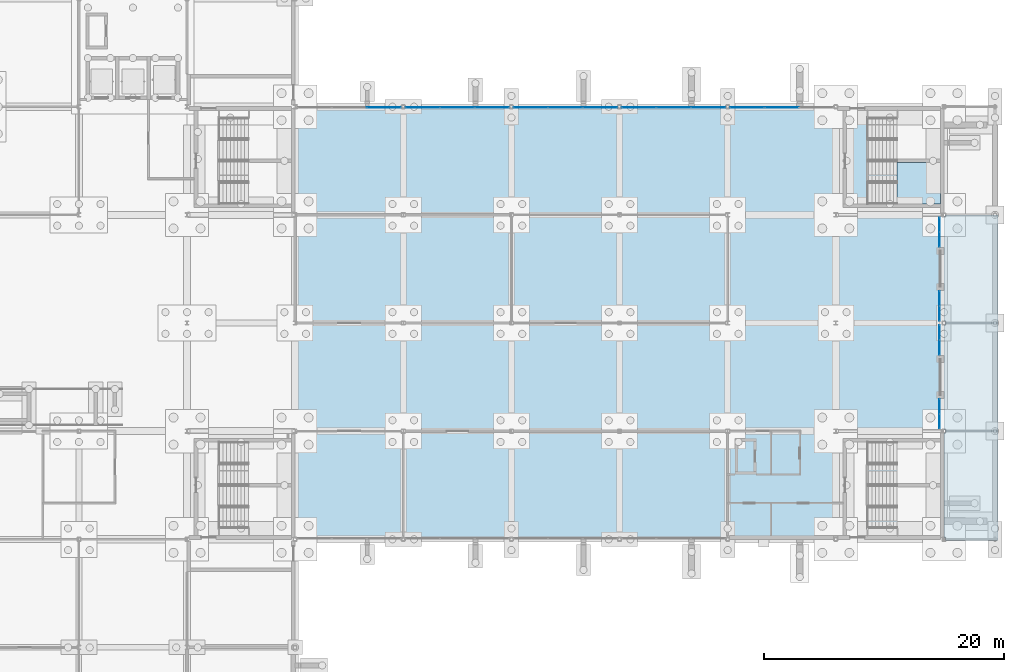
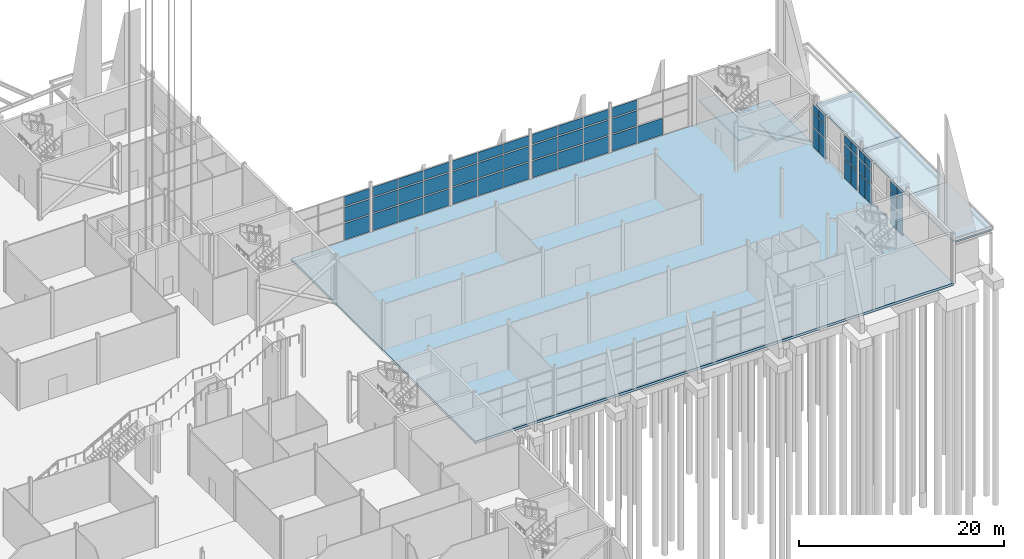
# One storey, part 95 of 139: 58 plates, 6 slabs, 10 elements without a shape of their own.
"""IFC4 building model written with IfcOpenShell, lengths in metres."""

import ifcopenshell
import ifcopenshell.guid

model = None  # the IFC model being written
_history = None  # IfcOwnerHistory: only IFC2X3 demands one
_inside = {}  # id of a spatial element -> (the spatial element, [elements in it])
_under = {}  # id of a project, library or spatial element -> (it, [spatial elements below it])
_declared = {}  # id of a project -> (the project, [libraries it declares])
_typed = {}  # id of a type object -> (the type object, [elements of that type])
_made_of = {}  # id of a material, layer set ... -> (it, [elements and type objects made of it])


def new_model(schema):
    """Start an empty IFC model of exactly this schema.

    Asked for "IFC4X3", IfcOpenShell would pick the latest addendum, in which some entities
    have other attributes; the version numbers below select the first issue.
    IFC2X3 requires an IfcOwnerHistory on every rooted entity: one is made here for all.
    """
    global model, _history
    if schema == "IFC4X3":
        model = ifcopenshell.file(schema_version=(4, 3, 0, 0))
    else:
        model = ifcopenshell.file(schema=schema)
    _inside.clear()
    _under.clear()
    _declared.clear()
    _typed.clear()
    _made_of.clear()
    _history = None
    if model.schema == "IFC2X3":
        org = make("IfcOrganization", Name="unknown")
        user = make(
            "IfcPersonAndOrganization",
            ThePerson=make("IfcPerson", FamilyName="unknown"),
            TheOrganization=org,
        )
        app = make(
            "IfcApplication",
            ApplicationDeveloper=org,
            Version="unknown",
            ApplicationFullName="unknown",
            ApplicationIdentifier="unknown",
        )
        _history = make(
            "IfcOwnerHistory",
            OwningUser=user,
            OwningApplication=app,
            ChangeAction="ADDED",
            CreationDate=0,
        )
    return model


def make(cls, **values):
    """One entity of the class cls with the attributes given. An attribute that is None is left unset."""
    return model.create_entity(
        cls, **{name: value for name, value in values.items() if value is not None}
    )


def rooted(cls, **values):
    """An entity with a GlobalId (a new one), such as an element, a storey or a relation."""
    return make(cls, GlobalId=ifcopenshell.guid.new(), OwnerHistory=_history, **values)


def si_unit(unit_type, name, prefix=None):
    """IfcSIUnit, for example si_unit("LENGTHUNIT", "METRE", prefix="MILLI")."""
    return make("IfcSIUnit", UnitType=unit_type, Prefix=prefix, Name=name)


def assignment(units):
    """IfcUnitAssignment: the units of a project."""
    return None if units is None else make("IfcUnitAssignment", Units=units)


def point(xyz):
    """IfcCartesianPoint."""
    return None if xyz is None else make("IfcCartesianPoint", Coordinates=xyz)


def direction(xyz):
    """IfcDirection."""
    return None if xyz is None else make("IfcDirection", DirectionRatios=xyz)


def frame(location, z_axis=None, x_axis=None):
    """IfcAxis2Placement3D, a coordinate frame: its origin and axes. An axis left out is left unset."""
    return make(
        "IfcAxis2Placement3D",
        Location=point(location),
        Axis=direction(z_axis),
        RefDirection=direction(x_axis),
    )


def frame_2d(location, x_axis=None):
    """IfcAxis2Placement2D, a coordinate frame in the plane: its origin and x axis."""
    return make(
        "IfcAxis2Placement2D", Location=point(location), RefDirection=direction(x_axis)
    )


def origin():
    """The frame at (0, 0, 0) with its axes left unset."""
    return frame((0.0, 0.0, 0.0))


def origin_2d():
    """The frame at (0, 0) in the plane with its x axis left unset."""
    return frame_2d((0.0, 0.0))


def place(relative_to, where):
    """IfcLocalPlacement: puts the frame where relative to a parent placement (None: the world)."""
    return make(
        "IfcLocalPlacement", PlacementRelTo=relative_to, RelativePlacement=where
    )


def context(
    kind, dimensions, precision=None, world=None, true_north=None, identifier=None
):
    """IfcGeometricRepresentationContext, for example the 3D "Model" context."""
    return make(
        "IfcGeometricRepresentationContext",
        ContextIdentifier=identifier,
        ContextType=kind,
        CoordinateSpaceDimension=dimensions,
        Precision=precision,
        WorldCoordinateSystem=world,
        TrueNorth=true_north,
    )


def subcontext(parent, identifier, kind, view, scale=None):
    """IfcGeometricRepresentationSubContext, for example "Body" below "Model"."""
    return make(
        "IfcGeometricRepresentationSubContext",
        ContextIdentifier=identifier,
        ContextType=kind,
        ParentContext=parent,
        TargetScale=scale,
        TargetView=view,
    )


def project(units=None, contexts=None):
    """IfcProject with its units and contexts."""
    return rooted(
        "IfcProject",
        Name="project",
        RepresentationContexts=contexts,
        UnitsInContext=assignment(units),
    )


def spatial(cls, under=None, at=None, **own):
    """A site, building, storey or space (cls), placed at a placement, below another one or the project."""
    s = rooted(cls, ObjectPlacement=at, **own)
    if under is not None:
        _under.setdefault(under.id(), (under, []))[1].append(s)
    return s


def polyline(points):
    """IfcPolyline through the points."""
    return make("IfcPolyline", Points=[point(p) for p in points])


def profile(cls, at=None, kind="AREA", **sizes):
    """A parametric profile (cls). Its sizes go by their IFC names, for example OverallWidth=200.0."""
    return make(cls, ProfileType=kind, Position=at, **sizes)


def rectangle(**sizes):
    """IfcRectangleProfileDef."""
    return profile("IfcRectangleProfileDef", **sizes)


def outline(outer, holes=None, kind="AREA"):
    """IfcArbitraryClosedProfileDef: a profile drawn as a closed curve; with holes, ...WithVoids."""
    if holes is None:
        return make("IfcArbitraryClosedProfileDef", ProfileType=kind, OuterCurve=outer)
    return make(
        "IfcArbitraryProfileDefWithVoids",
        ProfileType=kind,
        OuterCurve=outer,
        InnerCurves=holes,
    )


def extrude(swept, where, along, depth):
    """IfcExtrudedAreaSolid: the profile swept, set in the frame where, extruded along a direction by depth."""
    return make(
        "IfcExtrudedAreaSolid",
        SweptArea=swept,
        Position=where,
        ExtrudedDirection=direction(along),
        Depth=depth,
    )


def shape(context_of_items, identifier, shape_type, items):
    """IfcShapeRepresentation: the items that make up one representation, for example the "Body"."""
    return make(
        "IfcShapeRepresentation",
        ContextOfItems=context_of_items,
        RepresentationIdentifier=identifier,
        RepresentationType=shape_type,
        Items=items,
    )


def material(Name=None, Category=None):
    """IfcMaterial."""
    return make("IfcMaterial", Name=Name, Category=Category)


def layer(
    of_material, thickness, ventilated=None, Name=None, Category=None, Priority=None
):
    """IfcMaterialLayer: one layer of a wall or slab, of a material (None: an air gap)."""
    return make(
        "IfcMaterialLayer",
        Material=of_material,
        LayerThickness=thickness,
        IsVentilated=ventilated,
        Name=Name,
        Category=Category,
        Priority=Priority,
    )


def layer_set(layers, Name=None):
    """IfcMaterialLayerSet."""
    return make("IfcMaterialLayerSet", MaterialLayers=layers, LayerSetName=Name)


def made_of(thing, what):
    """Note that an element or type object is made of a material, layer set ...; save() writes the relation."""
    if what is not None:
        _made_of.setdefault(what.id(), (what, []))[1].append(thing)
    return thing


def type_object(cls, material=None, **own):
    """A type object (cls), such as IfcWallType, which elements share."""
    return made_of(rooted(cls, **own), material)


def element(
    cls,
    number,
    at=None,
    inside=None,
    cuts=None,
    type_object=None,
    material=None,
    context=None,
    identifier="Body",
    shape_type=None,
    held_by="IfcProductDefinitionShape",
    body=None,
    shapes=None,
    **own,
):
    """One element of the class cls, such as IfcWall. Its Tag is "e" and its number.

    at: its placement. inside: the storey or other place that contains it. cuts: it is an
    opening in that element (IfcRelVoidsElement). A single representation is given by context,
    identifier, shape_type and body (its items); several are given by shapes. held_by: the class
    of the entity that holds the representations. save() writes the other relations.
    """
    e = rooted(cls, Tag="e%d" % number, ObjectPlacement=at, **own)
    if body is not None:
        shapes = [shape(context, identifier, shape_type, body)]
    if shapes is not None:
        e.Representation = make(held_by, Representations=shapes)
    if inside is not None:
        _inside.setdefault(inside.id(), (inside, []))[1].append(e)
    if cuts is not None:
        rooted(
            "IfcRelVoidsElement", RelatingBuildingElement=cuts, RelatedOpeningElement=e
        )
    if type_object is not None:
        _typed.setdefault(type_object.id(), (type_object, []))[1].append(e)
    return made_of(e, material)


def aggregate(whole, parts):
    """IfcRelAggregates: a whole, such as a stair, and the parts it consists of."""
    return rooted("IfcRelAggregates", RelatingObject=whole, RelatedObjects=parts)


def save(model, path):
    """Write the relations noted so far, then the file.

    IfcRelAggregates (storeys below a building ...), IfcRelContainedInSpatialStructure (elements
    in a storey), IfcRelDefinesByType, IfcRelAssociatesMaterial and IfcRelDeclares: one each for
    every whole, place, type object, material and project.
    """
    for whole, parts in _under.values():
        aggregate(whole, parts)
    for where, things in _inside.values():
        rooted(
            "IfcRelContainedInSpatialStructure",
            RelatedElements=things,
            RelatingStructure=where,
        )
    for kind, things in _typed.values():
        rooted("IfcRelDefinesByType", RelatedObjects=things, RelatingType=kind)
    for what, things in _made_of.values():
        rooted("IfcRelAssociatesMaterial", RelatedObjects=things, RelatingMaterial=what)
    for by, libraries in _declared.values():
        rooted("IfcRelDeclares", RelatingContext=by, RelatedDefinitions=libraries)
    model.write(path)


model = new_model("IFC4")

# Units and contexts
model_context = context("Model", 3, precision=1e-05, world=origin(), true_north=direction((0.0, 1.0)))
body_context = subcontext(model_context, "Body", "Model", "MODEL_VIEW")
ifc_project = project(units=[si_unit("LENGTHUNIT", "METRE"), si_unit("AREAUNIT", "SQUARE_METRE"), si_unit("VOLUMEUNIT", "CUBIC_METRE"), si_unit("PLANEANGLEUNIT", "RADIAN"), si_unit("MASSUNIT", "GRAM", prefix="KILO")], contexts=[model_context])

# Site, building, storey
site_placement = place(None, origin())
site = spatial("IfcSite", under=ifc_project, at=site_placement, CompositionType="ELEMENT")
building_placement = place(site_placement, origin())
building = spatial("IfcBuilding", under=site, at=building_placement, Name="Shorebreak Coast Museum", CompositionType="ELEMENT")
storey_placement = place(building_placement, origin())
storey = spatial("IfcBuildingStorey", under=building, at=storey_placement, Name="L00", CompositionType="ELEMENT", Elevation=0.0)

# Slabs
ifc_material_1 = material(Name="Concrete N50 (50 MPa)", Category="concrete")
ifc_layer_1 = layer(ifc_material_1, 0.199951171875)
ifc_layer_set_1 = layer_set([ifc_layer_1], Name="Concrete N50 (50 MPa)")
slab_type_1 = type_object("IfcSlabType", Name="Arcade roof slab 200 concrete N50", PredefinedType="ROOF", material=ifc_layer_set_1)
slab_1_placement = place(storey_placement, frame((0.0, 0.0, 4.800048828125)))
element("IfcSlab", 1, at=slab_1_placement, inside=storey, type_object=slab_type_1, Name="Arcade roof slab east 1", PredefinedType="ROOF", context=body_context, shape_type="SweptSolid", body=[
    extrude(outline(polyline([(175.5, 53.89990234375), (175.5, 63.0), (171.14990234375, 63.0), (171.14990234375, 62.85009765625), (171.0, 62.85009765625), (171.0, 54.14990234375), (171.14990234375, 54.14990234375), (171.14990234375, 53.89990234375), (175.5, 53.89990234375)])), origin(), (0.0, 0.0, 1.0), 0.199951171875),
])
slab_2_placement = place(storey_placement, frame((0.0, 0.0, 4.800048828125)))
element("IfcSlab", 2, at=slab_2_placement, inside=storey, type_object=slab_type_1, Name="Arcade roof slab east 2", PredefinedType="ROOF", context=body_context, shape_type="SweptSolid", body=[
    extrude(outline(polyline([(175.5, 63.0), (175.5, 72.0), (171.14990234375, 72.0), (171.14990234375, 71.85009765625), (171.0, 71.85009765625), (171.0, 63.14990234375), (171.14990234375, 63.14990234375), (171.14990234375, 63.0), (175.5, 63.0)])), origin(), (0.0, 0.0, 1.0), 0.199951171875),
])
slab_3_placement = place(storey_placement, frame((0.0, 0.0, 4.800048828125)))
element("IfcSlab", 3, at=slab_3_placement, inside=storey, type_object=slab_type_1, Name="Arcade roof slab east 3", PredefinedType="ROOF", context=body_context, shape_type="SweptSolid", body=[
    extrude(outline(polyline([(175.5, 72.0), (175.5, 81.0), (171.14990234375, 81.0), (171.14990234375, 80.85009765625), (171.0, 80.85009765625), (171.0, 72.14990234375), (171.14990234375, 72.14990234375), (171.14990234375, 72.0), (175.5, 72.0)])), origin(), (0.0, 0.0, 1.0), 0.199951171875),
])
ifc_material_2 = material(Name="Concrete N40 (40 MPa)", Category="concrete")
ifc_layer_2 = layer(ifc_material_2, 0.300048828125)
ifc_layer_set_2 = layer_set([ifc_layer_2], Name="Concrete N40 (40 MPa)")
slab_type_2 = type_object("IfcSlabType", Name="Base slab 300 concrete N40", PredefinedType="BASESLAB", material=ifc_layer_set_2)
slab_4_placement = place(storey_placement, frame((0.0, 0.0, -0.300048828125)))
element("IfcSlab", 4, at=slab_4_placement, inside=storey, type_object=slab_type_2, Name="Base slab L00 east arm", PredefinedType="BASESLAB", context=body_context, shape_type="SweptSolid", body=[
    extrude(outline(polyline([(171.0, 54.0), (171.0, 90.0), (117.0, 90.0), (117.0, 54.0), (171.0, 54.0)])), origin(), (0.0, 0.0, 1.0), 0.300048828125),
])

# Curtain wall, plates
ifc_material_3 = material(Name="Aluminium", Category="aluminium")
ifc_layer_3 = layer(ifc_material_3, 0.1201171875)
ifc_layer_set_3 = layer_set([ifc_layer_3], Name="Aluminium")
curtain_wall_type_1 = type_object("IfcCurtainWallType", Name="Entrance sidelight curtain wall", PredefinedType="NOTDEFINED", material=ifc_layer_set_3)
curtain_wall_1_placement = place(storey_placement, origin())
curtain_wall_1 = element("IfcCurtainWall", 5, at=curtain_wall_1_placement, inside=storey, type_object=curtain_wall_type_1, Name="Entrance glazing ENT-E 11", PredefinedType="NOTDEFINED")
ifc_material_4 = material(Name="Glass", Category="glass")
ifc_layer_4 = layer(ifc_material_4, 0.028076171875)
ifc_layer_set_4 = layer_set([ifc_layer_4], Name="Glass")
plate_type_1 = type_object("IfcPlateType", Name="Entrance glass panel 28", PredefinedType="CURTAIN_PANEL", material=ifc_layer_set_4)
plate_1_placement = place(storey_placement, frame((170.6416015625, 63.821044921875, 0.1201171875), z_axis=(0.0, 0.0, 1.0), x_axis=(0.0, 1.0, 0.0)))
plate_1 = element("IfcPlate", 6, at=plate_1_placement, type_object=plate_type_1, Name="CW2 panel 1.1", PredefinedType="CURTAIN_PANEL", context=body_context, shape_type="SweptSolid", body=[
    extrude(rectangle(XDim=1.18603515625, YDim=0.028076171875, at=origin_2d()), origin(), (0.0, 0.0, 1.0), 2.320068359375),
])
plate_2_placement = place(storey_placement, frame((170.6416015625, 63.821044921875, 2.56005859375), z_axis=(0.0, 0.0, 1.0), x_axis=(0.0, 1.0, 0.0)))
plate_2 = element("IfcPlate", 7, at=plate_2_placement, type_object=plate_type_1, Name="CW2 panel 1.2", PredefinedType="CURTAIN_PANEL", context=body_context, shape_type="SweptSolid", body=[
    extrude(rectangle(XDim=1.18603515625, YDim=0.028076171875, at=origin_2d()), origin(), (0.0, 0.0, 1.0), 1.580078125),
])
plate_3_placement = place(storey_placement, frame((170.6416015625, 63.821044921875, 4.259765625), z_axis=(0.0, 0.0, 1.0), x_axis=(0.0, 1.0, 0.0)))
plate_3 = element("IfcPlate", 8, at=plate_3_placement, type_object=plate_type_1, Name="CW2 panel 1.3", PredefinedType="CURTAIN_PANEL", context=body_context, shape_type="SweptSolid", body=[
    extrude(rectangle(XDim=1.18603515625, YDim=0.028076171875, at=origin_2d()), origin(), (0.0, 0.0, 1.0), 0.984619140625),
])
plate_4_placement = place(storey_placement, frame((170.6416015625, 65.056884765625, 0.1201171875), z_axis=(0.0, 0.0, 1.0), x_axis=(0.0, 1.0, 0.0)))
plate_4 = element("IfcPlate", 9, at=plate_4_placement, type_object=plate_type_1, Name="CW2 panel 2.1", PredefinedType="CURTAIN_PANEL", context=body_context, shape_type="SweptSolid", body=[
    extrude(rectangle(XDim=1.18603515625, YDim=0.028076171875, at=origin_2d()), origin(), (0.0, 0.0, 1.0), 2.320068359375),
])
plate_5_placement = place(storey_placement, frame((170.6416015625, 65.056884765625, 2.56005859375), z_axis=(0.0, 0.0, 1.0), x_axis=(0.0, 1.0, 0.0)))
plate_5 = element("IfcPlate", 10, at=plate_5_placement, type_object=plate_type_1, Name="CW2 panel 2.2", PredefinedType="CURTAIN_PANEL", context=body_context, shape_type="SweptSolid", body=[
    extrude(rectangle(XDim=1.18603515625, YDim=0.028076171875, at=origin_2d()), origin(), (0.0, 0.0, 1.0), 1.580078125),
])
plate_6_placement = place(storey_placement, frame((170.6416015625, 65.056884765625, 4.259765625), z_axis=(0.0, 0.0, 1.0), x_axis=(0.0, 1.0, 0.0)))
plate_6 = element("IfcPlate", 11, at=plate_6_placement, type_object=plate_type_1, Name="CW2 panel 2.3", PredefinedType="CURTAIN_PANEL", context=body_context, shape_type="SweptSolid", body=[
    extrude(rectangle(XDim=1.18603515625, YDim=0.028076171875, at=origin_2d()), origin(), (0.0, 0.0, 1.0), 0.984619140625),
])
aggregate(curtain_wall_1, [plate_1, plate_2, plate_3, plate_4, plate_5, plate_6])

curtain_wall_2_placement = place(storey_placement, origin())
curtain_wall_2 = element("IfcCurtainWall", 12, at=curtain_wall_2_placement, inside=storey, type_object=curtain_wall_type_1, Name="Entrance glazing ENT-E 12", PredefinedType="NOTDEFINED")
plate_7_placement = place(storey_placement, frame((170.6416015625, 69.949951171875, 0.1201171875), z_axis=(0.0, 0.0, 1.0), x_axis=(0.0, 1.0, 0.0)))
plate_7 = element("IfcPlate", 13, at=plate_7_placement, type_object=plate_type_1, Name="CW1 panel 1.1", PredefinedType="CURTAIN_PANEL", context=body_context, shape_type="SweptSolid", body=[
    extrude(rectangle(XDim=1.199951171875, YDim=0.028076171875, at=origin_2d()), origin(), (0.0, 0.0, 1.0), 2.320068359375),
])
plate_8_placement = place(storey_placement, frame((170.6416015625, 69.949951171875, 2.56005859375), z_axis=(0.0, 0.0, 1.0), x_axis=(0.0, 1.0, 0.0)))
plate_8 = element("IfcPlate", 14, at=plate_8_placement, type_object=plate_type_1, Name="CW1 panel 1.2", PredefinedType="CURTAIN_PANEL", context=body_context, shape_type="SweptSolid", body=[
    extrude(rectangle(XDim=1.199951171875, YDim=0.028076171875, at=origin_2d()), origin(), (0.0, 0.0, 1.0), 1.580078125),
])
plate_9_placement = place(storey_placement, frame((170.6416015625, 69.949951171875, 4.259765625), z_axis=(0.0, 0.0, 1.0), x_axis=(0.0, 1.0, 0.0)))
plate_9 = element("IfcPlate", 15, at=plate_9_placement, type_object=plate_type_1, Name="CW1 panel 1.3", PredefinedType="CURTAIN_PANEL", context=body_context, shape_type="SweptSolid", body=[
    extrude(rectangle(XDim=1.199951171875, YDim=0.028076171875, at=origin_2d()), origin(), (0.0, 0.0, 1.0), 0.984619140625),
])
plate_10_placement = place(storey_placement, frame((170.6416015625, 71.199951171875, 0.1201171875), z_axis=(0.0, 0.0, 1.0), x_axis=(0.0, 1.0, 0.0)))
plate_10 = element("IfcPlate", 16, at=plate_10_placement, type_object=plate_type_1, Name="CW1 panel 2.1", PredefinedType="CURTAIN_PANEL", context=body_context, shape_type="SweptSolid", body=[
    extrude(rectangle(XDim=1.199951171875, YDim=0.028076171875, at=origin_2d()), origin(), (0.0, 0.0, 1.0), 2.320068359375),
])
plate_11_placement = place(storey_placement, frame((170.6416015625, 71.199951171875, 2.56005859375), z_axis=(0.0, 0.0, 1.0), x_axis=(0.0, 1.0, 0.0)))
plate_11 = element("IfcPlate", 17, at=plate_11_placement, type_object=plate_type_1, Name="CW1 panel 2.2", PredefinedType="CURTAIN_PANEL", context=body_context, shape_type="SweptSolid", body=[
    extrude(rectangle(XDim=1.199951171875, YDim=0.028076171875, at=origin_2d()), origin(), (0.0, 0.0, 1.0), 1.580078125),
])
plate_12_placement = place(storey_placement, frame((170.6416015625, 71.199951171875, 4.259765625), z_axis=(0.0, 0.0, 1.0), x_axis=(0.0, 1.0, 0.0)))
plate_12 = element("IfcPlate", 18, at=plate_12_placement, type_object=plate_type_1, Name="CW1 panel 2.3", PredefinedType="CURTAIN_PANEL", context=body_context, shape_type="SweptSolid", body=[
    extrude(rectangle(XDim=1.199951171875, YDim=0.028076171875, at=origin_2d()), origin(), (0.0, 0.0, 1.0), 0.984619140625),
])
aggregate(curtain_wall_2, [plate_7, plate_8, plate_9, plate_10, plate_11, plate_12])

curtain_wall_3_placement = place(storey_placement, origin())
curtain_wall_3 = element("IfcCurtainWall", 19, at=curtain_wall_3_placement, inside=storey, type_object=curtain_wall_type_1, Name="Entrance glazing ENT-E 13", PredefinedType="NOTDEFINED")
plate_13_placement = place(storey_placement, frame((170.6416015625, 72.800048828125, 0.1201171875), z_axis=(0.0, 0.0, 1.0), x_axis=(0.0, 1.0, 0.0)))
plate_13 = element("IfcPlate", 20, at=plate_13_placement, type_object=plate_type_1, Name="CW2 panel 1.1", PredefinedType="CURTAIN_PANEL", context=body_context, shape_type="SweptSolid", body=[
    extrude(rectangle(XDim=1.199951171875, YDim=0.028076171875, at=origin_2d()), origin(), (0.0, 0.0, 1.0), 2.320068359375),
])
plate_14_placement = place(storey_placement, frame((170.6416015625, 72.800048828125, 2.56005859375), z_axis=(0.0, 0.0, 1.0), x_axis=(0.0, 1.0, 0.0)))
plate_14 = element("IfcPlate", 21, at=plate_14_placement, type_object=plate_type_1, Name="CW2 panel 1.2", PredefinedType="CURTAIN_PANEL", context=body_context, shape_type="SweptSolid", body=[
    extrude(rectangle(XDim=1.199951171875, YDim=0.028076171875, at=origin_2d()), origin(), (0.0, 0.0, 1.0), 1.580078125),
])
plate_15_placement = place(storey_placement, frame((170.6416015625, 72.800048828125, 4.259765625), z_axis=(0.0, 0.0, 1.0), x_axis=(0.0, 1.0, 0.0)))
plate_15 = element("IfcPlate", 22, at=plate_15_placement, type_object=plate_type_1, Name="CW2 panel 1.3", PredefinedType="CURTAIN_PANEL", context=body_context, shape_type="SweptSolid", body=[
    extrude(rectangle(XDim=1.199951171875, YDim=0.028076171875, at=origin_2d()), origin(), (0.0, 0.0, 1.0), 0.984619140625),
])
plate_16_placement = place(storey_placement, frame((170.6416015625, 74.050048828125, 0.1201171875), z_axis=(0.0, 0.0, 1.0), x_axis=(0.0, 1.0, 0.0)))
plate_16 = element("IfcPlate", 23, at=plate_16_placement, type_object=plate_type_1, Name="CW2 panel 2.1", PredefinedType="CURTAIN_PANEL", context=body_context, shape_type="SweptSolid", body=[
    extrude(rectangle(XDim=1.199951171875, YDim=0.028076171875, at=origin_2d()), origin(), (0.0, 0.0, 1.0), 2.320068359375),
])
plate_17_placement = place(storey_placement, frame((170.6416015625, 74.050048828125, 2.56005859375), z_axis=(0.0, 0.0, 1.0), x_axis=(0.0, 1.0, 0.0)))
plate_17 = element("IfcPlate", 24, at=plate_17_placement, type_object=plate_type_1, Name="CW2 panel 2.2", PredefinedType="CURTAIN_PANEL", context=body_context, shape_type="SweptSolid", body=[
    extrude(rectangle(XDim=1.199951171875, YDim=0.028076171875, at=origin_2d()), origin(), (0.0, 0.0, 1.0), 1.580078125),
])
plate_18_placement = place(storey_placement, frame((170.6416015625, 74.050048828125, 4.259765625), z_axis=(0.0, 0.0, 1.0), x_axis=(0.0, 1.0, 0.0)))
plate_18 = element("IfcPlate", 25, at=plate_18_placement, type_object=plate_type_1, Name="CW2 panel 2.3", PredefinedType="CURTAIN_PANEL", context=body_context, shape_type="SweptSolid", body=[
    extrude(rectangle(XDim=1.199951171875, YDim=0.028076171875, at=origin_2d()), origin(), (0.0, 0.0, 1.0), 0.984619140625),
])
aggregate(curtain_wall_3, [plate_13, plate_14, plate_15, plate_16, plate_17, plate_18])

curtain_wall_4_placement = place(storey_placement, origin())
curtain_wall_4 = element("IfcCurtainWall", 26, at=curtain_wall_4_placement, inside=storey, type_object=curtain_wall_type_1, Name="Entrance glazing ENT-E 14", PredefinedType="NOTDEFINED")
plate_19_placement = place(storey_placement, frame((170.6416015625, 78.943115234375, 0.1201171875), z_axis=(0.0, 0.0, 1.0), x_axis=(0.0, 1.0, 0.0)))
plate_19 = element("IfcPlate", 27, at=plate_19_placement, type_object=plate_type_1, Name="CW1 panel 1.1", PredefinedType="CURTAIN_PANEL", context=body_context, shape_type="SweptSolid", body=[
    extrude(rectangle(XDim=1.18603515625, YDim=0.028076171875, at=origin_2d()), origin(), (0.0, 0.0, 1.0), 2.320068359375),
])
plate_20_placement = place(storey_placement, frame((170.6416015625, 78.943115234375, 2.56005859375), z_axis=(0.0, 0.0, 1.0), x_axis=(0.0, 1.0, 0.0)))
plate_20 = element("IfcPlate", 28, at=plate_20_placement, type_object=plate_type_1, Name="CW1 panel 1.2", PredefinedType="CURTAIN_PANEL", context=body_context, shape_type="SweptSolid", body=[
    extrude(rectangle(XDim=1.18603515625, YDim=0.028076171875, at=origin_2d()), origin(), (0.0, 0.0, 1.0), 1.580078125),
])
plate_21_placement = place(storey_placement, frame((170.6416015625, 78.943115234375, 4.259765625), z_axis=(0.0, 0.0, 1.0), x_axis=(0.0, 1.0, 0.0)))
plate_21 = element("IfcPlate", 29, at=plate_21_placement, type_object=plate_type_1, Name="CW1 panel 1.3", PredefinedType="CURTAIN_PANEL", context=body_context, shape_type="SweptSolid", body=[
    extrude(rectangle(XDim=1.18603515625, YDim=0.028076171875, at=origin_2d()), origin(), (0.0, 0.0, 1.0), 0.984619140625),
])
plate_22_placement = place(storey_placement, frame((170.6416015625, 80.178955078125, 0.1201171875), z_axis=(0.0, 0.0, 1.0), x_axis=(0.0, 1.0, 0.0)))
plate_22 = element("IfcPlate", 30, at=plate_22_placement, type_object=plate_type_1, Name="CW1 panel 2.1", PredefinedType="CURTAIN_PANEL", context=body_context, shape_type="SweptSolid", body=[
    extrude(rectangle(XDim=1.18603515625, YDim=0.028076171875, at=origin_2d()), origin(), (0.0, 0.0, 1.0), 2.320068359375),
])
plate_23_placement = place(storey_placement, frame((170.6416015625, 80.178955078125, 2.56005859375), z_axis=(0.0, 0.0, 1.0), x_axis=(0.0, 1.0, 0.0)))
plate_23 = element("IfcPlate", 31, at=plate_23_placement, type_object=plate_type_1, Name="CW1 panel 2.2", PredefinedType="CURTAIN_PANEL", context=body_context, shape_type="SweptSolid", body=[
    extrude(rectangle(XDim=1.18603515625, YDim=0.028076171875, at=origin_2d()), origin(), (0.0, 0.0, 1.0), 1.580078125),
])
plate_24_placement = place(storey_placement, frame((170.6416015625, 80.178955078125, 4.259765625), z_axis=(0.0, 0.0, 1.0), x_axis=(0.0, 1.0, 0.0)))
plate_24 = element("IfcPlate", 32, at=plate_24_placement, type_object=plate_type_1, Name="CW1 panel 2.3", PredefinedType="CURTAIN_PANEL", context=body_context, shape_type="SweptSolid", body=[
    extrude(rectangle(XDim=1.18603515625, YDim=0.028076171875, at=origin_2d()), origin(), (0.0, 0.0, 1.0), 0.984619140625),
])
aggregate(curtain_wall_4, [plate_19, plate_20, plate_21, plate_22, plate_23, plate_24])

# Stair, slabs
ifc_material_5 = material(Name="Concrete N40 (40 MPa)", Category="concrete")
stair_type = type_object("IfcStairType", Name="Stair run 6 m", PredefinedType="DOUBLE_RETURN_STAIR", material=ifc_material_5)
stair_placement = place(storey_placement, origin())
stair = element("IfcStair", 33, at=stair_placement, inside=storey, type_object=stair_type, Name="Exit stair ST08-L00", PredefinedType="DOUBLE_RETURN_STAIR")
ifc_material_6 = material(Name="Concrete N40 (40 MPa)", Category="concrete")
ifc_layer_5 = layer(ifc_material_6, 0.199951171875)
ifc_layer_set_5 = layer_set([ifc_layer_5], Name="Concrete N40 (40 MPa)")
slab_type_3 = type_object("IfcSlabType", Name="Stair landing 200", PredefinedType="LANDING", material=ifc_layer_set_5)
slab_5_placement = place(storey_placement, frame((0.0, 0.0, 2.800048828125)))
slab_5 = element("IfcSlab", 34, at=slab_5_placement, type_object=slab_type_3, Name="ST08-L00 landing 1", PredefinedType="LANDING", context=body_context, shape_type="SweptSolid", body=[
    extrude(outline(polyline([(162.89990234375, 81.89990234375), (164.699951171875, 81.89990234375), (164.699951171875, 89.699951171875), (162.89990234375, 89.699951171875), (162.89990234375, 81.89990234375)])), origin(), (0.0, 0.0, 1.0), 0.199951171875),
])
slab_6_placement = place(storey_placement, frame((0.0, 0.0, 1.300048828125)))
slab_6 = element("IfcSlab", 35, at=slab_6_placement, type_object=slab_type_3, Name="ST08-L00 landing 2", PredefinedType="LANDING", context=body_context, shape_type="SweptSolid", body=[
    extrude(outline(polyline([(167.10009765625, 81.89990234375), (170.699951171875, 81.89990234375), (170.699951171875, 85.35009765625), (167.10009765625, 85.35009765625), (167.10009765625, 81.89990234375)])), origin(), (0.0, 0.0, 1.0), 0.199951171875),
])
aggregate(stair, [slab_5, slab_6])

# Curtain wall, plates
ifc_material_7 = material(Name="Aluminium", Category="aluminium")
ifc_layer_6 = layer(ifc_material_7, 0.14990234375)
ifc_layer_set_6 = layer_set([ifc_layer_6], Name="Aluminium")
curtain_wall_type_2 = type_object("IfcCurtainWallType", Name="Storefront curtain wall", PredefinedType="NOTDEFINED", material=ifc_layer_set_6)
curtain_wall_5_placement = place(storey_placement, origin())
curtain_wall_5 = element("IfcCurtainWall", 36, at=curtain_wall_5_placement, inside=storey, type_object=curtain_wall_type_2, Name="Storefront L00 N 2", PredefinedType="NOTDEFINED")
ifc_material_8 = material(Name="Glass", Category="glass")
ifc_layer_7 = layer(ifc_material_8, 0.031982421875)
ifc_layer_set_7 = layer_set([ifc_layer_7], Name="Glass")
plate_type_2 = type_object("IfcPlateType", Name="Storefront glass panel 32", PredefinedType="CURTAIN_PANEL", material=ifc_layer_set_7)
plate_25_placement = place(storey_placement, frame((124.388427734375, 89.925048828125, 0.14990234375), z_axis=(0.0, 0.0, 1.0), x_axis=(1.0, 0.0, 0.0)))
plate_25 = element("IfcPlate", 37, at=plate_25_placement, type_object=plate_type_2, Name="CW8 panel 3.1", PredefinedType="CURTAIN_PANEL", context=body_context, shape_type="SweptSolid", body=[
    extrude(rectangle(XDim=2.8232421875, YDim=0.031982421875, at=origin_2d()), origin(), (0.0, 0.0, 1.0), 1.962890625),
])
plate_26_placement = place(storey_placement, frame((124.388427734375, 89.925048828125, 2.262939453125), z_axis=(0.0, 0.0, 1.0), x_axis=(1.0, 0.0, 0.0)))
plate_26 = element("IfcPlate", 38, at=plate_26_placement, type_object=plate_type_2, Name="CW8 panel 3.2", PredefinedType="CURTAIN_PANEL", context=body_context, shape_type="SweptSolid", body=[
    extrude(rectangle(XDim=2.8232421875, YDim=0.031982421875, at=origin_2d()), origin(), (0.0, 0.0, 1.0), 1.76416015625),
])
plate_27_placement = place(storey_placement, frame((124.388427734375, 89.925048828125, 4.17724609375), z_axis=(0.0, 0.0, 1.0), x_axis=(1.0, 0.0, 0.0)))
plate_27 = element("IfcPlate", 39, at=plate_27_placement, type_object=plate_type_2, Name="CW8 panel 3.3", PredefinedType="CURTAIN_PANEL", context=body_context, shape_type="SweptSolid", body=[
    extrude(rectangle(XDim=2.8232421875, YDim=0.031982421875, at=origin_2d()), origin(), (0.0, 0.0, 1.0), 1.142333984375),
])
aggregate(curtain_wall_5, [plate_25, plate_26, plate_27])

curtain_wall_6_placement = place(storey_placement, origin())
curtain_wall_6 = element("IfcCurtainWall", 40, at=curtain_wall_6_placement, inside=storey, type_object=curtain_wall_type_2, Name="Storefront L00 N 3", PredefinedType="NOTDEFINED")
plate_28_placement = place(storey_placement, frame((127.612548828125, 89.925048828125, 0.14990234375), z_axis=(0.0, 0.0, 1.0), x_axis=(1.0, 0.0, 0.0)))
plate_28 = element("IfcPlate", 41, at=plate_28_placement, type_object=plate_type_2, Name="CW8 panel 1.1", PredefinedType="CURTAIN_PANEL", context=body_context, shape_type="SweptSolid", body=[
    extrude(rectangle(XDim=2.824951171875, YDim=0.031982421875, at=origin_2d()), origin(), (0.0, 0.0, 1.0), 1.962890625),
])
plate_29_placement = place(storey_placement, frame((127.612548828125, 89.925048828125, 2.262939453125), z_axis=(0.0, 0.0, 1.0), x_axis=(1.0, 0.0, 0.0)))
plate_29 = element("IfcPlate", 42, at=plate_29_placement, type_object=plate_type_2, Name="CW8 panel 1.2", PredefinedType="CURTAIN_PANEL", context=body_context, shape_type="SweptSolid", body=[
    extrude(rectangle(XDim=2.824951171875, YDim=0.031982421875, at=origin_2d()), origin(), (0.0, 0.0, 1.0), 1.76416015625),
])
plate_30_placement = place(storey_placement, frame((127.612548828125, 89.925048828125, 4.17724609375), z_axis=(0.0, 0.0, 1.0), x_axis=(1.0, 0.0, 0.0)))
plate_30 = element("IfcPlate", 43, at=plate_30_placement, type_object=plate_type_2, Name="CW8 panel 1.3", PredefinedType="CURTAIN_PANEL", context=body_context, shape_type="SweptSolid", body=[
    extrude(rectangle(XDim=2.824951171875, YDim=0.031982421875, at=origin_2d()), origin(), (0.0, 0.0, 1.0), 1.142333984375),
])
plate_31_placement = place(storey_placement, frame((130.5, 89.925048828125, 0.14990234375), z_axis=(0.0, 0.0, 1.0), x_axis=(1.0, 0.0, 0.0)))
plate_31 = element("IfcPlate", 44, at=plate_31_placement, type_object=plate_type_2, Name="CW8 panel 2.1", PredefinedType="CURTAIN_PANEL", context=body_context, shape_type="SweptSolid", body=[
    extrude(rectangle(XDim=2.85009765625, YDim=0.031982421875, at=origin_2d()), origin(), (0.0, 0.0, 1.0), 1.962890625),
])
plate_32_placement = place(storey_placement, frame((130.5, 89.925048828125, 2.262939453125), z_axis=(0.0, 0.0, 1.0), x_axis=(1.0, 0.0, 0.0)))
plate_32 = element("IfcPlate", 45, at=plate_32_placement, type_object=plate_type_2, Name="CW8 panel 2.2", PredefinedType="CURTAIN_PANEL", context=body_context, shape_type="SweptSolid", body=[
    extrude(rectangle(XDim=2.85009765625, YDim=0.031982421875, at=origin_2d()), origin(), (0.0, 0.0, 1.0), 1.76416015625),
])
plate_33_placement = place(storey_placement, frame((130.5, 89.925048828125, 4.17724609375), z_axis=(0.0, 0.0, 1.0), x_axis=(1.0, 0.0, 0.0)))
plate_33 = element("IfcPlate", 46, at=plate_33_placement, type_object=plate_type_2, Name="CW8 panel 2.3", PredefinedType="CURTAIN_PANEL", context=body_context, shape_type="SweptSolid", body=[
    extrude(rectangle(XDim=2.85009765625, YDim=0.031982421875, at=origin_2d()), origin(), (0.0, 0.0, 1.0), 1.142333984375),
])
plate_34_placement = place(storey_placement, frame((133.387451171875, 89.925048828125, 0.14990234375), z_axis=(0.0, 0.0, 1.0), x_axis=(1.0, 0.0, 0.0)))
plate_34 = element("IfcPlate", 47, at=plate_34_placement, type_object=plate_type_2, Name="CW8 panel 3.1", PredefinedType="CURTAIN_PANEL", context=body_context, shape_type="SweptSolid", body=[
    extrude(rectangle(XDim=2.824951171875, YDim=0.031982421875, at=origin_2d()), origin(), (0.0, 0.0, 1.0), 1.962890625),
])
plate_35_placement = place(storey_placement, frame((133.387451171875, 89.925048828125, 2.262939453125), z_axis=(0.0, 0.0, 1.0), x_axis=(1.0, 0.0, 0.0)))
plate_35 = element("IfcPlate", 48, at=plate_35_placement, type_object=plate_type_2, Name="CW8 panel 3.2", PredefinedType="CURTAIN_PANEL", context=body_context, shape_type="SweptSolid", body=[
    extrude(rectangle(XDim=2.824951171875, YDim=0.031982421875, at=origin_2d()), origin(), (0.0, 0.0, 1.0), 1.76416015625),
])
plate_36_placement = place(storey_placement, frame((133.387451171875, 89.925048828125, 4.17724609375), z_axis=(0.0, 0.0, 1.0), x_axis=(1.0, 0.0, 0.0)))
plate_36 = element("IfcPlate", 49, at=plate_36_placement, type_object=plate_type_2, Name="CW8 panel 3.3", PredefinedType="CURTAIN_PANEL", context=body_context, shape_type="SweptSolid", body=[
    extrude(rectangle(XDim=2.824951171875, YDim=0.031982421875, at=origin_2d()), origin(), (0.0, 0.0, 1.0), 1.142333984375),
])
aggregate(curtain_wall_6, [plate_28, plate_29, plate_30, plate_31, plate_32, plate_33, plate_34, plate_35, plate_36])

curtain_wall_7_placement = place(storey_placement, origin())
curtain_wall_7 = element("IfcCurtainWall", 50, at=curtain_wall_7_placement, inside=storey, type_object=curtain_wall_type_2, Name="Storefront L00 N 4", PredefinedType="NOTDEFINED")
plate_37_placement = place(storey_placement, frame((136.612548828125, 89.925048828125, 0.14990234375), z_axis=(0.0, 0.0, 1.0), x_axis=(1.0, 0.0, 0.0)))
plate_37 = element("IfcPlate", 51, at=plate_37_placement, type_object=plate_type_2, Name="CW8 panel 1.1", PredefinedType="CURTAIN_PANEL", context=body_context, shape_type="SweptSolid", body=[
    extrude(rectangle(XDim=2.824951171875, YDim=0.031982421875, at=origin_2d()), origin(), (0.0, 0.0, 1.0), 1.962890625),
])
plate_38_placement = place(storey_placement, frame((136.612548828125, 89.925048828125, 2.262939453125), z_axis=(0.0, 0.0, 1.0), x_axis=(1.0, 0.0, 0.0)))
plate_38 = element("IfcPlate", 52, at=plate_38_placement, type_object=plate_type_2, Name="CW8 panel 1.2", PredefinedType="CURTAIN_PANEL", context=body_context, shape_type="SweptSolid", body=[
    extrude(rectangle(XDim=2.824951171875, YDim=0.031982421875, at=origin_2d()), origin(), (0.0, 0.0, 1.0), 1.76416015625),
])
plate_39_placement = place(storey_placement, frame((136.612548828125, 89.925048828125, 4.17724609375), z_axis=(0.0, 0.0, 1.0), x_axis=(1.0, 0.0, 0.0)))
plate_39 = element("IfcPlate", 53, at=plate_39_placement, type_object=plate_type_2, Name="CW8 panel 1.3", PredefinedType="CURTAIN_PANEL", context=body_context, shape_type="SweptSolid", body=[
    extrude(rectangle(XDim=2.824951171875, YDim=0.031982421875, at=origin_2d()), origin(), (0.0, 0.0, 1.0), 1.142333984375),
])
plate_40_placement = place(storey_placement, frame((139.5, 89.925048828125, 0.14990234375), z_axis=(0.0, 0.0, 1.0), x_axis=(1.0, 0.0, 0.0)))
plate_40 = element("IfcPlate", 54, at=plate_40_placement, type_object=plate_type_2, Name="CW8 panel 2.1", PredefinedType="CURTAIN_PANEL", context=body_context, shape_type="SweptSolid", body=[
    extrude(rectangle(XDim=2.85009765625, YDim=0.031982421875, at=origin_2d()), origin(), (0.0, 0.0, 1.0), 1.962890625),
])
plate_41_placement = place(storey_placement, frame((139.5, 89.925048828125, 2.262939453125), z_axis=(0.0, 0.0, 1.0), x_axis=(1.0, 0.0, 0.0)))
plate_41 = element("IfcPlate", 55, at=plate_41_placement, type_object=plate_type_2, Name="CW8 panel 2.2", PredefinedType="CURTAIN_PANEL", context=body_context, shape_type="SweptSolid", body=[
    extrude(rectangle(XDim=2.85009765625, YDim=0.031982421875, at=origin_2d()), origin(), (0.0, 0.0, 1.0), 1.76416015625),
])
plate_42_placement = place(storey_placement, frame((139.5, 89.925048828125, 4.17724609375), z_axis=(0.0, 0.0, 1.0), x_axis=(1.0, 0.0, 0.0)))
plate_42 = element("IfcPlate", 56, at=plate_42_placement, type_object=plate_type_2, Name="CW8 panel 2.3", PredefinedType="CURTAIN_PANEL", context=body_context, shape_type="SweptSolid", body=[
    extrude(rectangle(XDim=2.85009765625, YDim=0.031982421875, at=origin_2d()), origin(), (0.0, 0.0, 1.0), 1.142333984375),
])
plate_43_placement = place(storey_placement, frame((142.387451171875, 89.925048828125, 0.14990234375), z_axis=(0.0, 0.0, 1.0), x_axis=(1.0, 0.0, 0.0)))
plate_43 = element("IfcPlate", 57, at=plate_43_placement, type_object=plate_type_2, Name="CW8 panel 3.1", PredefinedType="CURTAIN_PANEL", context=body_context, shape_type="SweptSolid", body=[
    extrude(rectangle(XDim=2.824951171875, YDim=0.031982421875, at=origin_2d()), origin(), (0.0, 0.0, 1.0), 1.962890625),
])
plate_44_placement = place(storey_placement, frame((142.387451171875, 89.925048828125, 2.262939453125), z_axis=(0.0, 0.0, 1.0), x_axis=(1.0, 0.0, 0.0)))
plate_44 = element("IfcPlate", 58, at=plate_44_placement, type_object=plate_type_2, Name="CW8 panel 3.2", PredefinedType="CURTAIN_PANEL", context=body_context, shape_type="SweptSolid", body=[
    extrude(rectangle(XDim=2.824951171875, YDim=0.031982421875, at=origin_2d()), origin(), (0.0, 0.0, 1.0), 1.76416015625),
])
plate_45_placement = place(storey_placement, frame((142.387451171875, 89.925048828125, 4.17724609375), z_axis=(0.0, 0.0, 1.0), x_axis=(1.0, 0.0, 0.0)))
plate_45 = element("IfcPlate", 59, at=plate_45_placement, type_object=plate_type_2, Name="CW8 panel 3.3", PredefinedType="CURTAIN_PANEL", context=body_context, shape_type="SweptSolid", body=[
    extrude(rectangle(XDim=2.824951171875, YDim=0.031982421875, at=origin_2d()), origin(), (0.0, 0.0, 1.0), 1.142333984375),
])
aggregate(curtain_wall_7, [plate_37, plate_38, plate_39, plate_40, plate_41, plate_42, plate_43, plate_44, plate_45])

curtain_wall_8_placement = place(storey_placement, origin())
curtain_wall_8 = element("IfcCurtainWall", 60, at=curtain_wall_8_placement, inside=storey, type_object=curtain_wall_type_2, Name="Storefront L00 N 5", PredefinedType="NOTDEFINED")
plate_46_placement = place(storey_placement, frame((145.612548828125, 89.925048828125, 0.14990234375), z_axis=(0.0, 0.0, 1.0), x_axis=(1.0, 0.0, 0.0)))
plate_46 = element("IfcPlate", 61, at=plate_46_placement, type_object=plate_type_2, Name="CW8 panel 1.1", PredefinedType="CURTAIN_PANEL", context=body_context, shape_type="SweptSolid", body=[
    extrude(rectangle(XDim=2.824951171875, YDim=0.031982421875, at=origin_2d()), origin(), (0.0, 0.0, 1.0), 1.962890625),
])
plate_47_placement = place(storey_placement, frame((145.612548828125, 89.925048828125, 2.262939453125), z_axis=(0.0, 0.0, 1.0), x_axis=(1.0, 0.0, 0.0)))
plate_47 = element("IfcPlate", 62, at=plate_47_placement, type_object=plate_type_2, Name="CW8 panel 1.2", PredefinedType="CURTAIN_PANEL", context=body_context, shape_type="SweptSolid", body=[
    extrude(rectangle(XDim=2.824951171875, YDim=0.031982421875, at=origin_2d()), origin(), (0.0, 0.0, 1.0), 1.76416015625),
])
plate_48_placement = place(storey_placement, frame((145.612548828125, 89.925048828125, 4.17724609375), z_axis=(0.0, 0.0, 1.0), x_axis=(1.0, 0.0, 0.0)))
plate_48 = element("IfcPlate", 63, at=plate_48_placement, type_object=plate_type_2, Name="CW8 panel 1.3", PredefinedType="CURTAIN_PANEL", context=body_context, shape_type="SweptSolid", body=[
    extrude(rectangle(XDim=2.824951171875, YDim=0.031982421875, at=origin_2d()), origin(), (0.0, 0.0, 1.0), 1.142333984375),
])
plate_49_placement = place(storey_placement, frame((148.5, 89.925048828125, 0.14990234375), z_axis=(0.0, 0.0, 1.0), x_axis=(1.0, 0.0, 0.0)))
plate_49 = element("IfcPlate", 64, at=plate_49_placement, type_object=plate_type_2, Name="CW8 panel 2.1", PredefinedType="CURTAIN_PANEL", context=body_context, shape_type="SweptSolid", body=[
    extrude(rectangle(XDim=2.85009765625, YDim=0.031982421875, at=origin_2d()), origin(), (0.0, 0.0, 1.0), 1.962890625),
])
plate_50_placement = place(storey_placement, frame((148.5, 89.925048828125, 2.262939453125), z_axis=(0.0, 0.0, 1.0), x_axis=(1.0, 0.0, 0.0)))
plate_50 = element("IfcPlate", 65, at=plate_50_placement, type_object=plate_type_2, Name="CW8 panel 2.2", PredefinedType="CURTAIN_PANEL", context=body_context, shape_type="SweptSolid", body=[
    extrude(rectangle(XDim=2.85009765625, YDim=0.031982421875, at=origin_2d()), origin(), (0.0, 0.0, 1.0), 1.76416015625),
])
plate_51_placement = place(storey_placement, frame((148.5, 89.925048828125, 4.17724609375), z_axis=(0.0, 0.0, 1.0), x_axis=(1.0, 0.0, 0.0)))
plate_51 = element("IfcPlate", 66, at=plate_51_placement, type_object=plate_type_2, Name="CW8 panel 2.3", PredefinedType="CURTAIN_PANEL", context=body_context, shape_type="SweptSolid", body=[
    extrude(rectangle(XDim=2.85009765625, YDim=0.031982421875, at=origin_2d()), origin(), (0.0, 0.0, 1.0), 1.142333984375),
])
plate_52_placement = place(storey_placement, frame((151.387451171875, 89.925048828125, 0.14990234375), z_axis=(0.0, 0.0, 1.0), x_axis=(1.0, 0.0, 0.0)))
plate_52 = element("IfcPlate", 67, at=plate_52_placement, type_object=plate_type_2, Name="CW8 panel 3.1", PredefinedType="CURTAIN_PANEL", context=body_context, shape_type="SweptSolid", body=[
    extrude(rectangle(XDim=2.824951171875, YDim=0.031982421875, at=origin_2d()), origin(), (0.0, 0.0, 1.0), 1.962890625),
])
plate_53_placement = place(storey_placement, frame((151.387451171875, 89.925048828125, 2.262939453125), z_axis=(0.0, 0.0, 1.0), x_axis=(1.0, 0.0, 0.0)))
plate_53 = element("IfcPlate", 68, at=plate_53_placement, type_object=plate_type_2, Name="CW8 panel 3.2", PredefinedType="CURTAIN_PANEL", context=body_context, shape_type="SweptSolid", body=[
    extrude(rectangle(XDim=2.824951171875, YDim=0.031982421875, at=origin_2d()), origin(), (0.0, 0.0, 1.0), 1.76416015625),
])
plate_54_placement = place(storey_placement, frame((151.387451171875, 89.925048828125, 4.17724609375), z_axis=(0.0, 0.0, 1.0), x_axis=(1.0, 0.0, 0.0)))
plate_54 = element("IfcPlate", 69, at=plate_54_placement, type_object=plate_type_2, Name="CW8 panel 3.3", PredefinedType="CURTAIN_PANEL", context=body_context, shape_type="SweptSolid", body=[
    extrude(rectangle(XDim=2.824951171875, YDim=0.031982421875, at=origin_2d()), origin(), (0.0, 0.0, 1.0), 1.142333984375),
])
aggregate(curtain_wall_8, [plate_46, plate_47, plate_48, plate_49, plate_50, plate_51, plate_52, plate_53, plate_54])

curtain_wall_9_placement = place(storey_placement, origin())
curtain_wall_9 = element("IfcCurtainWall", 70, at=curtain_wall_9_placement, inside=storey, type_object=curtain_wall_type_2, Name="Storefront L00 N 6", PredefinedType="NOTDEFINED")
plate_55_placement = place(storey_placement, frame((154.612548828125, 89.925048828125, 0.14990234375), z_axis=(0.0, 0.0, 1.0), x_axis=(1.0, 0.0, 0.0)))
plate_55 = element("IfcPlate", 71, at=plate_55_placement, type_object=plate_type_2, Name="CW8 panel 1.1", PredefinedType="CURTAIN_PANEL", context=body_context, shape_type="SweptSolid", body=[
    extrude(rectangle(XDim=2.824951171875, YDim=0.031982421875, at=origin_2d()), origin(), (0.0, 0.0, 1.0), 1.962890625),
])
plate_56_placement = place(storey_placement, frame((154.612548828125, 89.925048828125, 2.262939453125), z_axis=(0.0, 0.0, 1.0), x_axis=(1.0, 0.0, 0.0)))
plate_56 = element("IfcPlate", 72, at=plate_56_placement, type_object=plate_type_2, Name="CW8 panel 1.2", PredefinedType="CURTAIN_PANEL", context=body_context, shape_type="SweptSolid", body=[
    extrude(rectangle(XDim=2.824951171875, YDim=0.031982421875, at=origin_2d()), origin(), (0.0, 0.0, 1.0), 1.76416015625),
])
plate_57_placement = place(storey_placement, frame((154.612548828125, 89.925048828125, 4.17724609375), z_axis=(0.0, 0.0, 1.0), x_axis=(1.0, 0.0, 0.0)))
plate_57 = element("IfcPlate", 73, at=plate_57_placement, type_object=plate_type_2, Name="CW8 panel 1.3", PredefinedType="CURTAIN_PANEL", context=body_context, shape_type="SweptSolid", body=[
    extrude(rectangle(XDim=2.824951171875, YDim=0.031982421875, at=origin_2d()), origin(), (0.0, 0.0, 1.0), 1.142333984375),
])
plate_58_placement = place(storey_placement, frame((157.5, 89.925048828125, 0.14990234375), z_axis=(0.0, 0.0, 1.0), x_axis=(1.0, 0.0, 0.0)))
plate_58 = element("IfcPlate", 74, at=plate_58_placement, type_object=plate_type_2, Name="CW8 panel 2.1", PredefinedType="CURTAIN_PANEL", context=body_context, shape_type="SweptSolid", body=[
    extrude(rectangle(XDim=2.85009765625, YDim=0.031982421875, at=origin_2d()), origin(), (0.0, 0.0, 1.0), 1.962890625),
])
aggregate(curtain_wall_9, [plate_55, plate_56, plate_57, plate_58])

save(model, "model.ifc")
